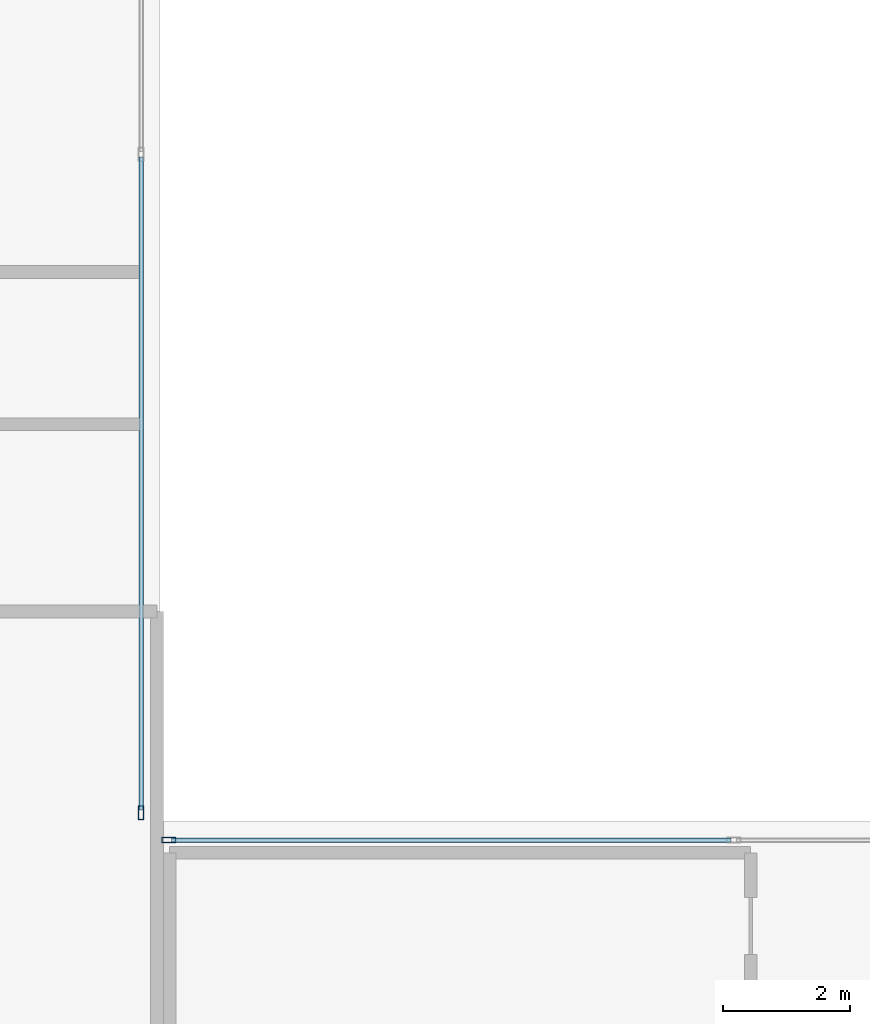
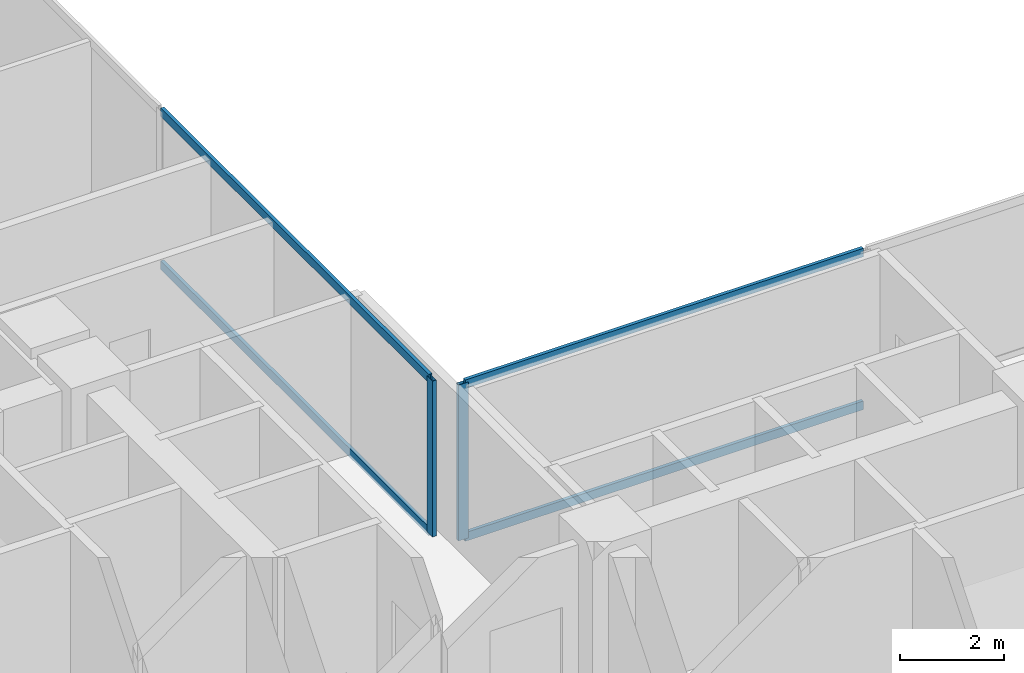
# One storey, part 7 of 25: 6 members, 2 elements without a shape of their own.
"""IFC4 building model written with IfcOpenShell, lengths in metres."""

import ifcopenshell
import ifcopenshell.guid

model = None  # the IFC model being written
_history = None  # IfcOwnerHistory: only IFC2X3 demands one
_inside = {}  # id of a spatial element -> (the spatial element, [elements in it])
_under = {}  # id of a project, library or spatial element -> (it, [spatial elements below it])
_declared = {}  # id of a project -> (the project, [libraries it declares])
_typed = {}  # id of a type object -> (the type object, [elements of that type])
_made_of = {}  # id of a material, layer set ... -> (it, [elements and type objects made of it])


def new_model(schema):
    """Start an empty IFC model of exactly this schema.

    Asked for "IFC4X3", IfcOpenShell would pick the latest addendum, in which some entities
    have other attributes; the version numbers below select the first issue.
    IFC2X3 requires an IfcOwnerHistory on every rooted entity: one is made here for all.
    """
    global model, _history
    if schema == "IFC4X3":
        model = ifcopenshell.file(schema_version=(4, 3, 0, 0))
    else:
        model = ifcopenshell.file(schema=schema)
    _inside.clear()
    _under.clear()
    _declared.clear()
    _typed.clear()
    _made_of.clear()
    _history = None
    if model.schema == "IFC2X3":
        org = make("IfcOrganization", Name="unknown")
        user = make(
            "IfcPersonAndOrganization",
            ThePerson=make("IfcPerson", FamilyName="unknown"),
            TheOrganization=org,
        )
        app = make(
            "IfcApplication",
            ApplicationDeveloper=org,
            Version="unknown",
            ApplicationFullName="unknown",
            ApplicationIdentifier="unknown",
        )
        _history = make(
            "IfcOwnerHistory",
            OwningUser=user,
            OwningApplication=app,
            ChangeAction="ADDED",
            CreationDate=0,
        )
    return model


def make(cls, **values):
    """One entity of the class cls with the attributes given. An attribute that is None is left unset."""
    return model.create_entity(
        cls, **{name: value for name, value in values.items() if value is not None}
    )


def rooted(cls, **values):
    """An entity with a GlobalId (a new one), such as an element, a storey or a relation."""
    return make(cls, GlobalId=ifcopenshell.guid.new(), OwnerHistory=_history, **values)


def si_unit(unit_type, name, prefix=None):
    """IfcSIUnit, for example si_unit("LENGTHUNIT", "METRE", prefix="MILLI")."""
    return make("IfcSIUnit", UnitType=unit_type, Prefix=prefix, Name=name)


def assignment(units):
    """IfcUnitAssignment: the units of a project."""
    return None if units is None else make("IfcUnitAssignment", Units=units)


def point(xyz):
    """IfcCartesianPoint."""
    return None if xyz is None else make("IfcCartesianPoint", Coordinates=xyz)


def direction(xyz):
    """IfcDirection."""
    return None if xyz is None else make("IfcDirection", DirectionRatios=xyz)


def frame(location, z_axis=None, x_axis=None):
    """IfcAxis2Placement3D, a coordinate frame: its origin and axes. An axis left out is left unset."""
    return make(
        "IfcAxis2Placement3D",
        Location=point(location),
        Axis=direction(z_axis),
        RefDirection=direction(x_axis),
    )


def frame_2d(location, x_axis=None):
    """IfcAxis2Placement2D, a coordinate frame in the plane: its origin and x axis."""
    return make(
        "IfcAxis2Placement2D", Location=point(location), RefDirection=direction(x_axis)
    )


def origin():
    """The frame at (0, 0, 0) with its axes left unset."""
    return frame((0.0, 0.0, 0.0))


def origin_2d():
    """The frame at (0, 0) in the plane with its x axis left unset."""
    return frame_2d((0.0, 0.0))


def place(relative_to, where):
    """IfcLocalPlacement: puts the frame where relative to a parent placement (None: the world)."""
    return make(
        "IfcLocalPlacement", PlacementRelTo=relative_to, RelativePlacement=where
    )


def context(
    kind, dimensions, precision=None, world=None, true_north=None, identifier=None
):
    """IfcGeometricRepresentationContext, for example the 3D "Model" context."""
    return make(
        "IfcGeometricRepresentationContext",
        ContextIdentifier=identifier,
        ContextType=kind,
        CoordinateSpaceDimension=dimensions,
        Precision=precision,
        WorldCoordinateSystem=world,
        TrueNorth=true_north,
    )


def subcontext(parent, identifier, kind, view, scale=None):
    """IfcGeometricRepresentationSubContext, for example "Body" below "Model"."""
    return make(
        "IfcGeometricRepresentationSubContext",
        ContextIdentifier=identifier,
        ContextType=kind,
        ParentContext=parent,
        TargetScale=scale,
        TargetView=view,
    )


def project(units=None, contexts=None):
    """IfcProject with its units and contexts."""
    return rooted(
        "IfcProject",
        Name="project",
        RepresentationContexts=contexts,
        UnitsInContext=assignment(units),
    )


def spatial(cls, under=None, at=None, **own):
    """A site, building, storey or space (cls), placed at a placement, below another one or the project."""
    s = rooted(cls, ObjectPlacement=at, **own)
    if under is not None:
        _under.setdefault(under.id(), (under, []))[1].append(s)
    return s


def profile(cls, at=None, kind="AREA", **sizes):
    """A parametric profile (cls). Its sizes go by their IFC names, for example OverallWidth=200.0."""
    return make(cls, ProfileType=kind, Position=at, **sizes)


def hollow_rectangle(**sizes):
    """IfcRectangleHollowProfileDef."""
    return profile("IfcRectangleHollowProfileDef", **sizes)


def extrude(swept, where, along, depth):
    """IfcExtrudedAreaSolid: the profile swept, set in the frame where, extruded along a direction by depth."""
    return make(
        "IfcExtrudedAreaSolid",
        SweptArea=swept,
        Position=where,
        ExtrudedDirection=direction(along),
        Depth=depth,
    )


def shape(context_of_items, identifier, shape_type, items):
    """IfcShapeRepresentation: the items that make up one representation, for example the "Body"."""
    return make(
        "IfcShapeRepresentation",
        ContextOfItems=context_of_items,
        RepresentationIdentifier=identifier,
        RepresentationType=shape_type,
        Items=items,
    )


def material(Name=None, Category=None):
    """IfcMaterial."""
    return make("IfcMaterial", Name=Name, Category=Category)


def layer(
    of_material, thickness, ventilated=None, Name=None, Category=None, Priority=None
):
    """IfcMaterialLayer: one layer of a wall or slab, of a material (None: an air gap)."""
    return make(
        "IfcMaterialLayer",
        Material=of_material,
        LayerThickness=thickness,
        IsVentilated=ventilated,
        Name=Name,
        Category=Category,
        Priority=Priority,
    )


def layer_set(layers, Name=None):
    """IfcMaterialLayerSet."""
    return make("IfcMaterialLayerSet", MaterialLayers=layers, LayerSetName=Name)


def material_profile(
    of_material, cross_section, Name=None, Category=None, Priority=None
):
    """IfcMaterialProfile: a cross section and its material."""
    return make(
        "IfcMaterialProfile",
        Name=Name,
        Material=of_material,
        Profile=cross_section,
        Priority=Priority,
        Category=Category,
    )


def profile_set(profiles, Name=None, composite=None):
    """IfcMaterialProfileSet."""
    return make(
        "IfcMaterialProfileSet",
        Name=Name,
        MaterialProfiles=profiles,
        CompositeProfile=composite,
    )


def made_of(thing, what):
    """Note that an element or type object is made of a material, layer set ...; save() writes the relation."""
    if what is not None:
        _made_of.setdefault(what.id(), (what, []))[1].append(thing)
    return thing


def type_object(cls, material=None, **own):
    """A type object (cls), such as IfcWallType, which elements share."""
    return made_of(rooted(cls, **own), material)


def element(
    cls,
    number,
    at=None,
    inside=None,
    cuts=None,
    type_object=None,
    material=None,
    context=None,
    identifier="Body",
    shape_type=None,
    held_by="IfcProductDefinitionShape",
    body=None,
    shapes=None,
    **own,
):
    """One element of the class cls, such as IfcWall. Its Tag is "e" and its number.

    at: its placement. inside: the storey or other place that contains it. cuts: it is an
    opening in that element (IfcRelVoidsElement). A single representation is given by context,
    identifier, shape_type and body (its items); several are given by shapes. held_by: the class
    of the entity that holds the representations. save() writes the other relations.
    """
    e = rooted(cls, Tag="e%d" % number, ObjectPlacement=at, **own)
    if body is not None:
        shapes = [shape(context, identifier, shape_type, body)]
    if shapes is not None:
        e.Representation = make(held_by, Representations=shapes)
    if inside is not None:
        _inside.setdefault(inside.id(), (inside, []))[1].append(e)
    if cuts is not None:
        rooted(
            "IfcRelVoidsElement", RelatingBuildingElement=cuts, RelatedOpeningElement=e
        )
    if type_object is not None:
        _typed.setdefault(type_object.id(), (type_object, []))[1].append(e)
    return made_of(e, material)


def aggregate(whole, parts):
    """IfcRelAggregates: a whole, such as a stair, and the parts it consists of."""
    return rooted("IfcRelAggregates", RelatingObject=whole, RelatedObjects=parts)


def save(model, path):
    """Write the relations noted so far, then the file.

    IfcRelAggregates (storeys below a building ...), IfcRelContainedInSpatialStructure (elements
    in a storey), IfcRelDefinesByType, IfcRelAssociatesMaterial and IfcRelDeclares: one each for
    every whole, place, type object, material and project.
    """
    for whole, parts in _under.values():
        aggregate(whole, parts)
    for where, things in _inside.values():
        rooted(
            "IfcRelContainedInSpatialStructure",
            RelatedElements=things,
            RelatingStructure=where,
        )
    for kind, things in _typed.values():
        rooted("IfcRelDefinesByType", RelatedObjects=things, RelatingType=kind)
    for what, things in _made_of.values():
        rooted("IfcRelAssociatesMaterial", RelatedObjects=things, RelatingMaterial=what)
    for by, libraries in _declared.values():
        rooted("IfcRelDeclares", RelatingContext=by, RelatedDefinitions=libraries)
    model.write(path)


model = new_model("IFC4")

# Units and contexts
model_context = context("Model", 3, precision=1e-05, world=origin(), true_north=direction((0.0, 1.0)))
body_context = subcontext(model_context, "Body", "Model", "MODEL_VIEW")
ifc_project = project(units=[si_unit("LENGTHUNIT", "METRE"), si_unit("AREAUNIT", "SQUARE_METRE"), si_unit("VOLUMEUNIT", "CUBIC_METRE"), si_unit("PLANEANGLEUNIT", "RADIAN"), si_unit("MASSUNIT", "GRAM", prefix="KILO"), si_unit("THERMODYNAMICTEMPERATUREUNIT", "KELVIN"), si_unit("POWERUNIT", "WATT")], contexts=[model_context])

# Site, building, storey
site_placement = place(None, origin())
site = spatial("IfcSite", under=ifc_project, at=site_placement, CompositionType="ELEMENT")
building_placement = place(site_placement, origin())
building = spatial("IfcBuilding", under=site, at=building_placement, Name="Svarakhadi Broadcast Tower", CompositionType="ELEMENT")
storey_placement = place(building_placement, frame((0.0, 0.0, 48.0)))
storey = spatial("IfcBuildingStorey", under=building, at=storey_placement, Name="L10", CompositionType="ELEMENT", Elevation=48.0)

# Curtain wall, member
ifc_material = material(Name="Anodised Bronze Aluminium AA 6063-T6", Category="aluminium")
ifc_layer = layer(ifc_material, 0.219970703125)
ifc_layer_set = layer_set([ifc_layer], Name="Anodised Bronze Aluminium AA 6063-T6")
curtain_wall_type = type_object("IfcCurtainWallType", Name="CW_Sys_02", PredefinedType="NOTDEFINED", material=ifc_layer_set)
curtain_wall_1_placement = place(storey_placement, origin())
curtain_wall_1 = element("IfcCurtainWall", 1, at=curtain_wall_1_placement, inside=storey, type_object=curtain_wall_type, Name="L10 Unitised Facade Curtain Wall 09", PredefinedType="NOTDEFINED")
ifc_material_profile_1 = material_profile(ifc_material, hollow_rectangle(XDim=0.0849609375, YDim=0.219970703125, WallThickness=0.006103515625, at=origin_2d()), Name="ALU MULLION 220x85x6")
ifc_profile_set_1 = profile_set([ifc_material_profile_1], Name="Anodised Bronze Aluminium AA 6063-T6")
member_type_1 = type_object("IfcMemberType", Name="CW_Sys_02_Mul", PredefinedType="MULLION", material=ifc_profile_set_1)
member_1_placement = place(storey_placement, frame((23.699951171875, 24.132568359375, 0.0), z_axis=(0.0, 0.0, 1.0), x_axis=(1.0, 0.0, 0.0)))
member_1 = element("IfcMember", 2, at=member_1_placement, type_object=member_type_1, Name="CW-02 mullion 3", PredefinedType="MULLION", context=body_context, shape_type="SweptSolid", body=[
    extrude(hollow_rectangle(XDim=0.0849609375, YDim=0.219970703125, WallThickness=0.006103515625, at=origin_2d()), origin(), (0.0, 0.0, 1.0), 3.64990234375),
])

curtain_wall_2_placement = place(storey_placement, origin())
curtain_wall_2 = element("IfcCurtainWall", 3, at=curtain_wall_2_placement, inside=storey, type_object=curtain_wall_type, Name="L10 Unitised Facade Curtain Wall 10", PredefinedType="NOTDEFINED")
member_2_placement = place(storey_placement, frame((24.132568359375, 23.699951171875, 0.0), z_axis=(0.0, 0.0, 1.0), x_axis=(0.0, 1.0, 0.0)))
member_2 = element("IfcMember", 4, at=member_2_placement, type_object=member_type_1, Name="CW-02 mullion 1", PredefinedType="MULLION", context=body_context, shape_type="SweptSolid", body=[
    extrude(hollow_rectangle(XDim=0.0849609375, YDim=0.219970703125, WallThickness=0.006103515625, at=origin_2d()), origin(), (0.0, 0.0, 1.0), 3.64990234375),
])

# Member
ifc_material_profile_2 = material_profile(ifc_material, hollow_rectangle(XDim=0.074951171875, YDim=0.199951171875, WallThickness=0.0048828125, at=origin_2d()), Name="ALU TRANSOM 200x75x5")
ifc_profile_set_2 = profile_set([ifc_material_profile_2], Name="Anodised Bronze Aluminium AA 6063-T6")
member_type_2 = type_object("IfcMemberType", Name="CW_Sys_02_Trn", PredefinedType="USERDEFINED", material=ifc_profile_set_2)
member_3_placement = place(storey_placement, frame((23.699951171875, 34.45751953125, 0.03759765625), z_axis=(0.0, -1.0, 0.0), x_axis=(1.0, 0.0, 0.0)))
member_3 = element("IfcMember", 5, at=member_3_placement, type_object=member_type_2, Name="CW-02 transom 2.1", ObjectType="TRANSOM", PredefinedType="USERDEFINED", context=body_context, shape_type="SweptSolid", body=[
    extrude(hollow_rectangle(XDim=0.074951171875, YDim=0.199951171875, WallThickness=0.0048828125, at=origin_2d()), origin(), (0.0, 0.0, 1.0), 10.282470703125),
])

member_4_placement = place(storey_placement, frame((23.699951171875, 34.45751953125, 3.612548828125), z_axis=(0.0, -1.0, 0.0), x_axis=(1.0, 0.0, 0.0)))
member_4 = element("IfcMember", 6, at=member_4_placement, type_object=member_type_2, Name="CW-02 transom 2.2", ObjectType="TRANSOM", PredefinedType="USERDEFINED", context=body_context, shape_type="SweptSolid", body=[
    extrude(hollow_rectangle(XDim=0.074951171875, YDim=0.199951171875, WallThickness=0.0048828125, at=origin_2d()), origin(), (0.0, 0.0, 1.0), 10.282470703125),
])

aggregate(curtain_wall_1, [member_1, member_3, member_4])

member_5_placement = place(storey_placement, frame((24.175048828125, 23.699951171875, 0.03759765625), z_axis=(1.0, 0.0, 0.0), x_axis=(0.0, 1.0, 0.0)))
member_5 = element("IfcMember", 7, at=member_5_placement, type_object=member_type_2, Name="CW-02 transom 1.1", ObjectType="TRANSOM", PredefinedType="USERDEFINED", context=body_context, shape_type="SweptSolid", body=[
    extrude(hollow_rectangle(XDim=0.074951171875, YDim=0.199951171875, WallThickness=0.0048828125, at=origin_2d()), origin(), (0.0, 0.0, 1.0), 8.8125),
])

member_6_placement = place(storey_placement, frame((24.175048828125, 23.699951171875, 3.612548828125), z_axis=(1.0, 0.0, 0.0), x_axis=(0.0, 1.0, 0.0)))
member_6 = element("IfcMember", 8, at=member_6_placement, type_object=member_type_2, Name="CW-02 transom 1.2", ObjectType="TRANSOM", PredefinedType="USERDEFINED", context=body_context, shape_type="SweptSolid", body=[
    extrude(hollow_rectangle(XDim=0.074951171875, YDim=0.199951171875, WallThickness=0.0048828125, at=origin_2d()), origin(), (0.0, 0.0, 1.0), 8.8125),
])

aggregate(curtain_wall_2, [member_2, member_5, member_6])

save(model, "model.ifc")
